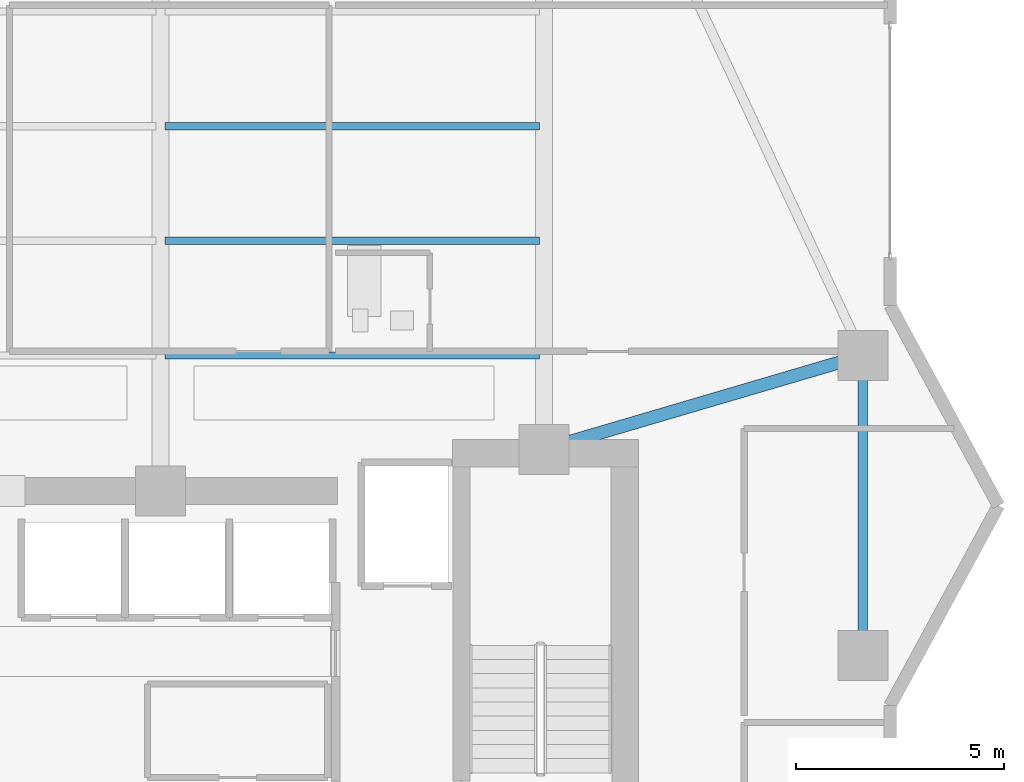
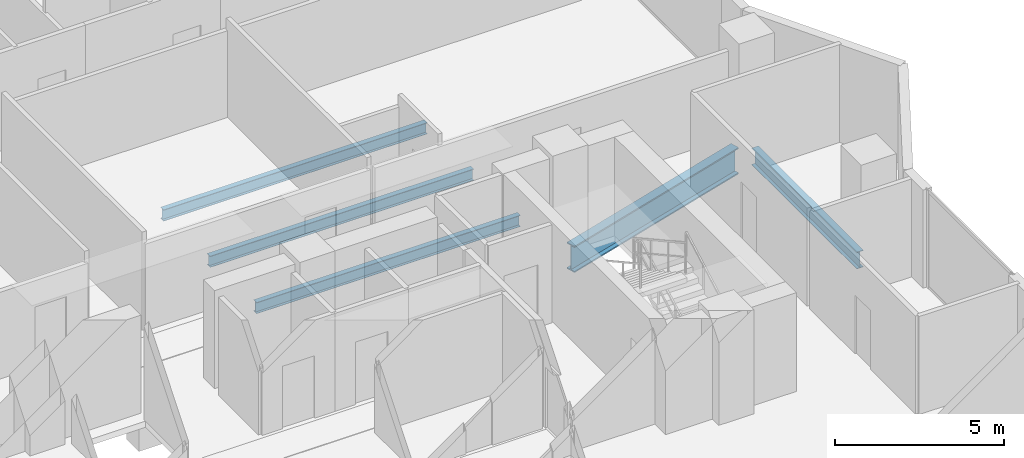
# One storey, part 13 of 32: 5 beams.
"""IFC4 building model written with IfcOpenShell, lengths in metres."""

from ifc_helpers import new_model, si_unit, direction, frame, origin, origin_2d, place, context, subcontext, project, spatial, i_section, extrude, material, material_profile, profile_set, type_object, element, save


model = new_model("IFC4")

# Units and contexts
model_context = context("Model", 3, precision=1e-05, world=origin(), true_north=direction((0.0, 1.0)))
body_context = subcontext(model_context, "Body", "Model", "MODEL_VIEW")
ifc_project = project(units=[si_unit("LENGTHUNIT", "METRE"), si_unit("AREAUNIT", "SQUARE_METRE"), si_unit("VOLUMEUNIT", "CUBIC_METRE"), si_unit("PLANEANGLEUNIT", "RADIAN"), si_unit("MASSUNIT", "GRAM", prefix="KILO")], contexts=[model_context])

# Site, building, storey
site_placement = place(None, origin())
site = spatial("IfcSite", under=ifc_project, at=site_placement, CompositionType="ELEMENT")
building_placement = place(site_placement, origin())
building = spatial("IfcBuilding", under=site, at=building_placement, Name="Zuhayl Quay Hotel", CompositionType="ELEMENT")
storey_placement = place(building_placement, frame((0.0, 0.0, 226.14990234375)))
storey = spatial("IfcBuildingStorey", under=building, at=storey_placement, Name="L57", CompositionType="ELEMENT", Elevation=226.14990234375)

# Beams
ifc_material = material(Name="Steel ASTM A992 Grade 50", Category="steel")
ifc_material_profile_1 = material_profile(ifc_material, i_section(OverallWidth=0.22802734375, OverallDepth=0.60693359375, WebThickness=0.01123046875, FlangeThickness=0.017333984375, at=origin_2d()), Name="W24X76")
ifc_profile_set_1 = profile_set([ifc_material_profile_1], Name="Steel ASTM A992 Grade 50")
beam_type_1 = type_object("IfcBeamType", Name="BM_B3_W24X76", PredefinedType="BEAM", material=ifc_profile_set_1)
beam_1_placement = place(storey_placement, frame((21.449951171875, 9.89990234375, -0.5234375), z_axis=(0.0, 1.0, 0.0), x_axis=(-1.0, 0.0, 0.0)))
element("IfcBeam", 1, at=beam_1_placement, inside=storey, type_object=beam_type_1, Name="L57 Floor Beam RG_L57_05", PredefinedType="BEAM", context=body_context, shape_type="SweptSolid", body=[
    extrude(i_section(OverallWidth=0.22802734375, OverallDepth=0.60693359375, WebThickness=0.01123046875, FlangeThickness=0.017333984375, at=origin_2d()), origin(), (0.0, 0.0, 1.0), 6.2001953125),
])
ifc_material_profile_2 = material_profile(ifc_material, i_section(OverallWidth=0.177978515625, OverallDepth=0.406005859375, WebThickness=0.0078125, FlangeThickness=0.0126953125, at=origin_2d()), Name="W16X40")
ifc_profile_set_2 = profile_set([ifc_material_profile_2], Name="Steel ASTM A992 Grade 50")
beam_type_2 = type_object("IfcBeamType", Name="BM_J2B_W16X40", PredefinedType="JOIST", material=ifc_profile_set_2)
for number, where, z_axis, x_axis, name in (
    (2, (4.7060546875, 16.60009765625, -0.4228515625), (1.0, 0.0, 0.0), (0.0, 1.0, 0.0), "L57 Floor Beam FJ_L57_1_3"),
    (3, (4.7060546875, 19.35009765625, -0.4228515625), (1.0, 0.0, 0.0), (0.0, 1.0, 0.0), "L57 Floor Beam FJ_L57_2_3"),
    (4, (4.7060546875, 22.10009765625, -0.4228515625), (1.0, 0.0, 0.0), (0.0, 1.0, 0.0), "L57 Floor Beam FJ_L57_3_3"),
):
    element("IfcBeam", number, at=place(storey_placement, frame(where, z_axis=z_axis, x_axis=x_axis)), inside=storey, type_object=beam_type_2, Name=name, PredefinedType="JOIST", context=body_context, shape_type="SweptSolid", body=[
        extrude(i_section(OverallWidth=0.177978515625, OverallDepth=0.406005859375, WebThickness=0.0078125, FlangeThickness=0.0126953125, at=origin_2d()), origin(), (0.0, 0.0, 1.0), 8.988037109375),
    ])
ifc_material_profile_3 = material_profile(ifc_material, i_section(OverallWidth=0.31005859375, OverallDepth=0.949951171875, WebThickness=0.0244140625, FlangeThickness=0.0439453125, at=origin_2d()), Name="W36X256")
ifc_profile_set_3 = profile_set([ifc_material_profile_3], Name="Steel ASTM A992 Grade 50")
beam_type_3 = type_object("IfcBeamType", Name="BM_PG1_W36X256", PredefinedType="BEAM", material=ifc_profile_set_3)
beam_2_placement = place(storey_placement, frame((14.231689453125, 14.47705078125, -0.69482421875), z_axis=(0.959364948093, 0.282168205812, 0.0), x_axis=(-0.282168205812, 0.959364948093, 0.0)))
element("IfcBeam", 5, at=beam_2_placement, inside=storey, type_object=beam_type_3, Name="L57 Floor Beam FG_E_L57_2", PredefinedType="BEAM", context=body_context, shape_type="SweptSolid", body=[
    extrude(i_section(OverallWidth=0.31005859375, OverallDepth=0.949951171875, WebThickness=0.0244140625, FlangeThickness=0.0439453125, at=origin_2d()), origin(), (0.0, 0.0, 1.0), 7.02392578125),
])

save(model, "model.ifc")
